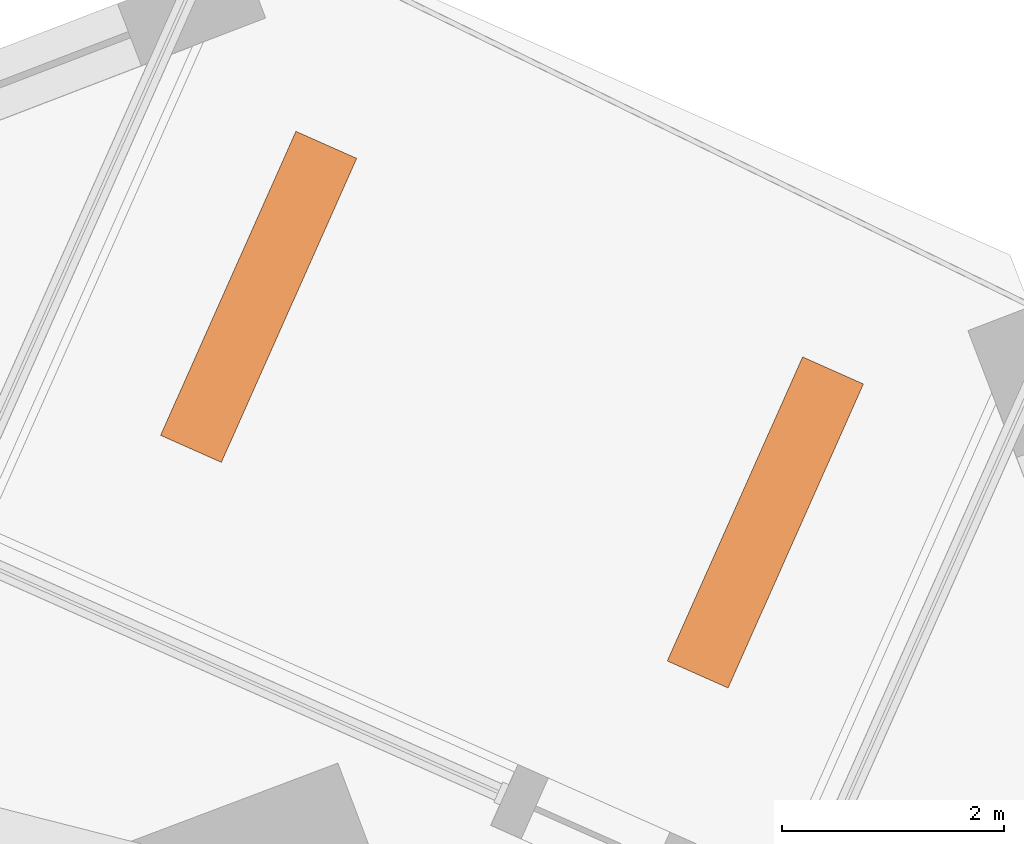
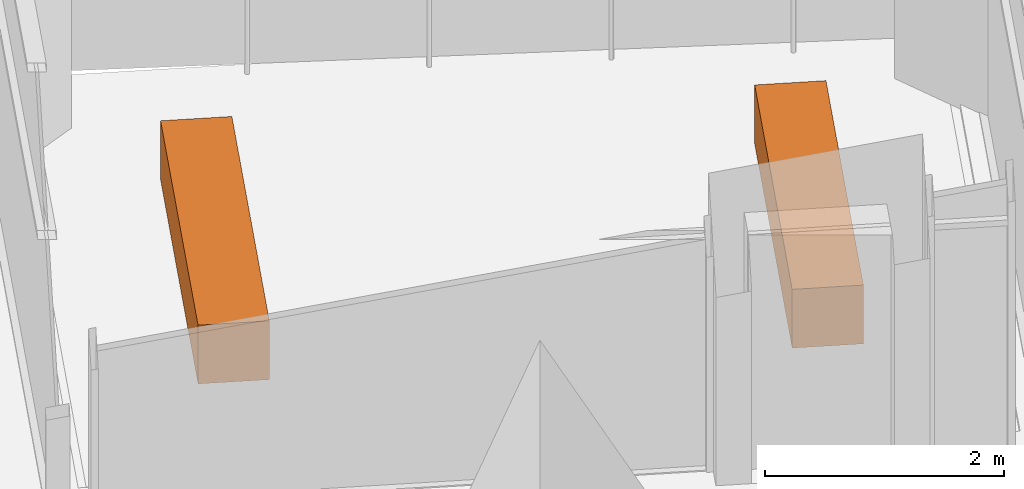
# One storey, part 14 of 14: 2 proxies.
"""IFC4 building model written with IfcOpenShell, lengths in metres."""

from ifc_helpers import new_model, si_unit, direction, frame, origin, origin_2d, place, context, subcontext, project, spatial, rectangle, extrude, element, save


model = new_model("IFC4")

# Units and contexts
model_context = context("Model", 3, precision=1e-05, world=origin(), true_north=direction((0.0, 1.0)))
body_context = subcontext(model_context, "Body", "Model", "MODEL_VIEW")
ifc_project = project(units=[si_unit("LENGTHUNIT", "METRE"), si_unit("AREAUNIT", "SQUARE_METRE"), si_unit("VOLUMEUNIT", "CUBIC_METRE"), si_unit("PLANEANGLEUNIT", "RADIAN"), si_unit("MASSUNIT", "GRAM", prefix="KILO")], contexts=[model_context])

# Site, building, storey
site_placement = place(None, origin())
site = spatial("IfcSite", under=ifc_project, at=site_placement, CompositionType="ELEMENT")
building_placement = place(site_placement, origin())
building = spatial("IfcBuilding", under=site, at=building_placement, Name="Dilmun Exchange Tower", CompositionType="ELEMENT")
storey_placement = place(building_placement, frame((0.0, 0.0, 106.10009765625)))
storey = spatial("IfcBuildingStorey", under=building, at=storey_placement, Name="L24", CompositionType="ELEMENT", Elevation=106.10009765625)

# Proxies
for number, where, z_axis, x_axis, name in (
    (1, (17.55810546875, 29.8125, -0.000244140625), (0.0, 0.0, 1.0), (0.406736643076, 0.913545457643, 0.0), "PLANTER Desert shrub L24.1"),
    (2, (12.990234375, 31.84619140625, -0.000244140625), (0.0, 0.0, 1.0), (0.406736643076, 0.913545457643, 0.0), "PLANTER Desert shrub L24.2"),
):
    element("IfcBuildingElementProxy", number, at=place(storey_placement, frame(where, z_axis=z_axis, x_axis=x_axis)), inside=storey, Name=name, ObjectType="PLANTER", PredefinedType="USERDEFINED", context=body_context, shape_type="SweptSolid", body=[
        extrude(rectangle(XDim=3.0, YDim=0.60009765625, at=origin_2d()), origin(), (0.0, 0.0, 1.0), 0.60009765625),
    ])

save(model, "model.ifc")
